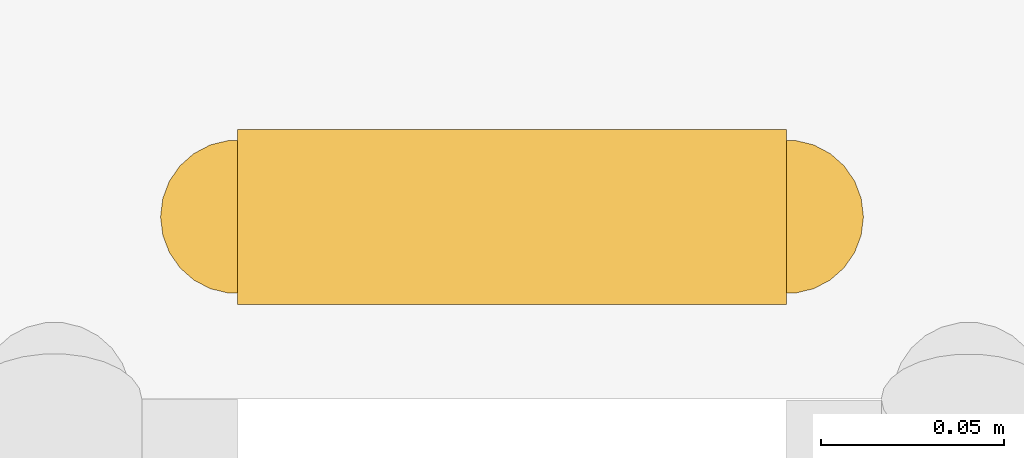
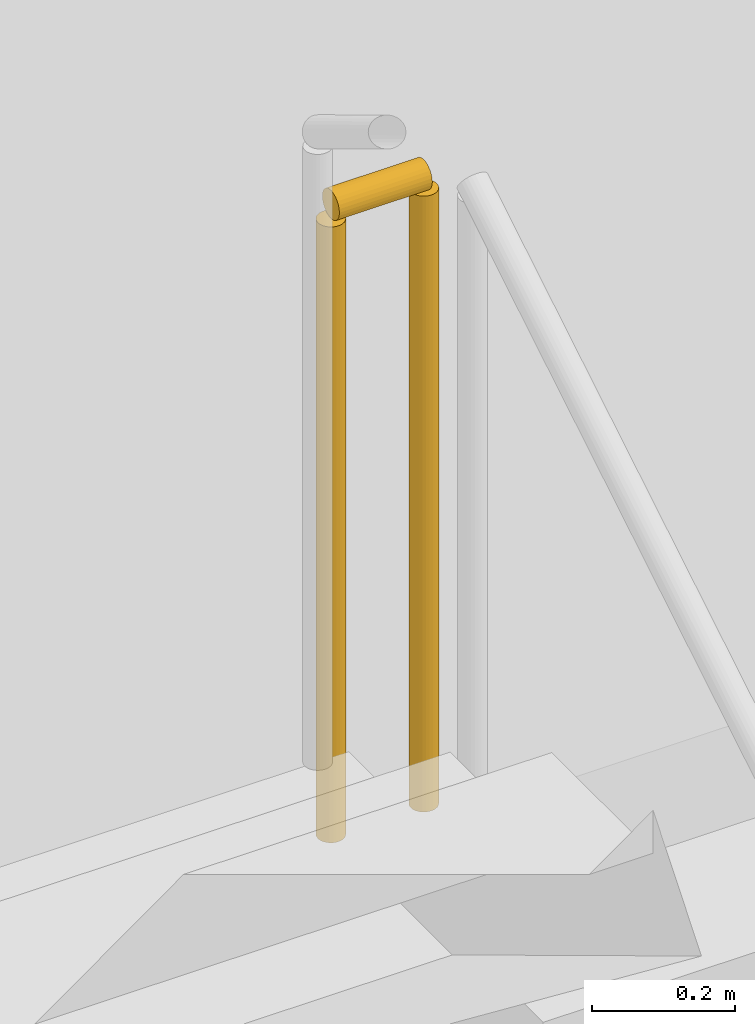
# One storey, part 39 of 42: 1 railing.
"""IFC4 building model written with IfcOpenShell, lengths in metres."""

import ifcopenshell
import ifcopenshell.guid

model = None  # the IFC model being written
_history = None  # IfcOwnerHistory: only IFC2X3 demands one
_inside = {}  # id of a spatial element -> (the spatial element, [elements in it])
_under = {}  # id of a project, library or spatial element -> (it, [spatial elements below it])
_declared = {}  # id of a project -> (the project, [libraries it declares])
_typed = {}  # id of a type object -> (the type object, [elements of that type])
_made_of = {}  # id of a material, layer set ... -> (it, [elements and type objects made of it])


def new_model(schema):
    """Start an empty IFC model of exactly this schema.

    Asked for "IFC4X3", IfcOpenShell would pick the latest addendum, in which some entities
    have other attributes; the version numbers below select the first issue.
    IFC2X3 requires an IfcOwnerHistory on every rooted entity: one is made here for all.
    """
    global model, _history
    if schema == "IFC4X3":
        model = ifcopenshell.file(schema_version=(4, 3, 0, 0))
    else:
        model = ifcopenshell.file(schema=schema)
    _inside.clear()
    _under.clear()
    _declared.clear()
    _typed.clear()
    _made_of.clear()
    _history = None
    if model.schema == "IFC2X3":
        org = make("IfcOrganization", Name="unknown")
        user = make(
            "IfcPersonAndOrganization",
            ThePerson=make("IfcPerson", FamilyName="unknown"),
            TheOrganization=org,
        )
        app = make(
            "IfcApplication",
            ApplicationDeveloper=org,
            Version="unknown",
            ApplicationFullName="unknown",
            ApplicationIdentifier="unknown",
        )
        _history = make(
            "IfcOwnerHistory",
            OwningUser=user,
            OwningApplication=app,
            ChangeAction="ADDED",
            CreationDate=0,
        )
    return model


def make(cls, **values):
    """One entity of the class cls with the attributes given. An attribute that is None is left unset."""
    return model.create_entity(
        cls, **{name: value for name, value in values.items() if value is not None}
    )


def rooted(cls, **values):
    """An entity with a GlobalId (a new one), such as an element, a storey or a relation."""
    return make(cls, GlobalId=ifcopenshell.guid.new(), OwnerHistory=_history, **values)


def si_unit(unit_type, name, prefix=None):
    """IfcSIUnit, for example si_unit("LENGTHUNIT", "METRE", prefix="MILLI")."""
    return make("IfcSIUnit", UnitType=unit_type, Prefix=prefix, Name=name)


def assignment(units):
    """IfcUnitAssignment: the units of a project."""
    return None if units is None else make("IfcUnitAssignment", Units=units)


def point(xyz):
    """IfcCartesianPoint."""
    return None if xyz is None else make("IfcCartesianPoint", Coordinates=xyz)


def direction(xyz):
    """IfcDirection."""
    return None if xyz is None else make("IfcDirection", DirectionRatios=xyz)


def frame(location, z_axis=None, x_axis=None):
    """IfcAxis2Placement3D, a coordinate frame: its origin and axes. An axis left out is left unset."""
    return make(
        "IfcAxis2Placement3D",
        Location=point(location),
        Axis=direction(z_axis),
        RefDirection=direction(x_axis),
    )


def frame_2d(location, x_axis=None):
    """IfcAxis2Placement2D, a coordinate frame in the plane: its origin and x axis."""
    return make(
        "IfcAxis2Placement2D", Location=point(location), RefDirection=direction(x_axis)
    )


def origin():
    """The frame at (0, 0, 0) with its axes left unset."""
    return frame((0.0, 0.0, 0.0))


def origin_2d():
    """The frame at (0, 0) in the plane with its x axis left unset."""
    return frame_2d((0.0, 0.0))


def place(relative_to, where):
    """IfcLocalPlacement: puts the frame where relative to a parent placement (None: the world)."""
    return make(
        "IfcLocalPlacement", PlacementRelTo=relative_to, RelativePlacement=where
    )


def context(
    kind, dimensions, precision=None, world=None, true_north=None, identifier=None
):
    """IfcGeometricRepresentationContext, for example the 3D "Model" context."""
    return make(
        "IfcGeometricRepresentationContext",
        ContextIdentifier=identifier,
        ContextType=kind,
        CoordinateSpaceDimension=dimensions,
        Precision=precision,
        WorldCoordinateSystem=world,
        TrueNorth=true_north,
    )


def subcontext(parent, identifier, kind, view, scale=None):
    """IfcGeometricRepresentationSubContext, for example "Body" below "Model"."""
    return make(
        "IfcGeometricRepresentationSubContext",
        ContextIdentifier=identifier,
        ContextType=kind,
        ParentContext=parent,
        TargetScale=scale,
        TargetView=view,
    )


def project(units=None, contexts=None):
    """IfcProject with its units and contexts."""
    return rooted(
        "IfcProject",
        Name="project",
        RepresentationContexts=contexts,
        UnitsInContext=assignment(units),
    )


def spatial(cls, under=None, at=None, **own):
    """A site, building, storey or space (cls), placed at a placement, below another one or the project."""
    s = rooted(cls, ObjectPlacement=at, **own)
    if under is not None:
        _under.setdefault(under.id(), (under, []))[1].append(s)
    return s


def profile(cls, at=None, kind="AREA", **sizes):
    """A parametric profile (cls). Its sizes go by their IFC names, for example OverallWidth=200.0."""
    return make(cls, ProfileType=kind, Position=at, **sizes)


def circle(**sizes):
    """IfcCircleProfileDef."""
    return profile("IfcCircleProfileDef", **sizes)


def extrude(swept, where, along, depth):
    """IfcExtrudedAreaSolid: the profile swept, set in the frame where, extruded along a direction by depth."""
    return make(
        "IfcExtrudedAreaSolid",
        SweptArea=swept,
        Position=where,
        ExtrudedDirection=direction(along),
        Depth=depth,
    )


def shape(context_of_items, identifier, shape_type, items):
    """IfcShapeRepresentation: the items that make up one representation, for example the "Body"."""
    return make(
        "IfcShapeRepresentation",
        ContextOfItems=context_of_items,
        RepresentationIdentifier=identifier,
        RepresentationType=shape_type,
        Items=items,
    )


def material(Name=None, Category=None):
    """IfcMaterial."""
    return make("IfcMaterial", Name=Name, Category=Category)


def made_of(thing, what):
    """Note that an element or type object is made of a material, layer set ...; save() writes the relation."""
    if what is not None:
        _made_of.setdefault(what.id(), (what, []))[1].append(thing)
    return thing


def type_object(cls, material=None, **own):
    """A type object (cls), such as IfcWallType, which elements share."""
    return made_of(rooted(cls, **own), material)


def element(
    cls,
    number,
    at=None,
    inside=None,
    cuts=None,
    type_object=None,
    material=None,
    context=None,
    identifier="Body",
    shape_type=None,
    held_by="IfcProductDefinitionShape",
    body=None,
    shapes=None,
    **own,
):
    """One element of the class cls, such as IfcWall. Its Tag is "e" and its number.

    at: its placement. inside: the storey or other place that contains it. cuts: it is an
    opening in that element (IfcRelVoidsElement). A single representation is given by context,
    identifier, shape_type and body (its items); several are given by shapes. held_by: the class
    of the entity that holds the representations. save() writes the other relations.
    """
    e = rooted(cls, Tag="e%d" % number, ObjectPlacement=at, **own)
    if body is not None:
        shapes = [shape(context, identifier, shape_type, body)]
    if shapes is not None:
        e.Representation = make(held_by, Representations=shapes)
    if inside is not None:
        _inside.setdefault(inside.id(), (inside, []))[1].append(e)
    if cuts is not None:
        rooted(
            "IfcRelVoidsElement", RelatingBuildingElement=cuts, RelatedOpeningElement=e
        )
    if type_object is not None:
        _typed.setdefault(type_object.id(), (type_object, []))[1].append(e)
    return made_of(e, material)


def aggregate(whole, parts):
    """IfcRelAggregates: a whole, such as a stair, and the parts it consists of."""
    return rooted("IfcRelAggregates", RelatingObject=whole, RelatedObjects=parts)


def save(model, path):
    """Write the relations noted so far, then the file.

    IfcRelAggregates (storeys below a building ...), IfcRelContainedInSpatialStructure (elements
    in a storey), IfcRelDefinesByType, IfcRelAssociatesMaterial and IfcRelDeclares: one each for
    every whole, place, type object, material and project.
    """
    for whole, parts in _under.values():
        aggregate(whole, parts)
    for where, things in _inside.values():
        rooted(
            "IfcRelContainedInSpatialStructure",
            RelatedElements=things,
            RelatingStructure=where,
        )
    for kind, things in _typed.values():
        rooted("IfcRelDefinesByType", RelatedObjects=things, RelatingType=kind)
    for what, things in _made_of.values():
        rooted("IfcRelAssociatesMaterial", RelatedObjects=things, RelatingMaterial=what)
    for by, libraries in _declared.values():
        rooted("IfcRelDeclares", RelatingContext=by, RelatedDefinitions=libraries)
    model.write(path)


model = new_model("IFC4")

# Units and contexts
model_context = context("Model", 3, precision=1e-05, world=origin(), true_north=direction((0.0, 1.0)))
body_context = subcontext(model_context, "Body", "Model", "MODEL_VIEW")
ifc_project = project(units=[si_unit("LENGTHUNIT", "METRE"), si_unit("AREAUNIT", "SQUARE_METRE"), si_unit("VOLUMEUNIT", "CUBIC_METRE"), si_unit("PLANEANGLEUNIT", "RADIAN"), si_unit("MASSUNIT", "GRAM", prefix="KILO")], contexts=[model_context])

# Site, building, storey
site_placement = place(None, origin())
site = spatial("IfcSite", under=ifc_project, at=site_placement, CompositionType="ELEMENT")
building_placement = place(site_placement, origin())
building = spatial("IfcBuilding", under=site, at=building_placement, Name="Dhurran Vertical Campus", CompositionType="ELEMENT")
storey_placement = place(building_placement, frame((0.0, 0.0, 6.0)))
storey = spatial("IfcBuildingStorey", under=building, at=storey_placement, Name="L01", CompositionType="ELEMENT", Elevation=6.0)

# Railing
ifc_material = material(Name="Steel S355J2H", Category="steel")
railing_type = type_object("IfcRailingType", Name="hl-stair guard 1100", PredefinedType="GUARDRAIL", material=ifc_material)
railing_placement = place(storey_placement, frame((73.60009765625, -20.80810546875, 2.39990234375)))
element("IfcRailing", 1, at=railing_placement, inside=storey, type_object=railing_type, Name="L01 HST1 stair guard 2", PredefinedType="GUARDRAIL", context=body_context, shape_type="SweptSolid", body=[
    extrude(circle(Radius=0.02392578125, at=origin_2d()), frame((0.0, 0.0, 1.076171875), z_axis=(-1.0, 0.0, 0.0), x_axis=(0.0, -1.0, 0.0)), (0.0, 0.0, 1.0), 0.150146484375),
    extrude(circle(Radius=0.02099609375, at=origin_2d()), origin(), (0.0, 0.0, 1.0), 1.052001953125),
    extrude(circle(Radius=0.02099609375, at=origin_2d()), frame((-0.150146484375, 0.0, 0.0)), (0.0, 0.0, 1.0), 1.052001953125),
])

save(model, "model.ifc")
